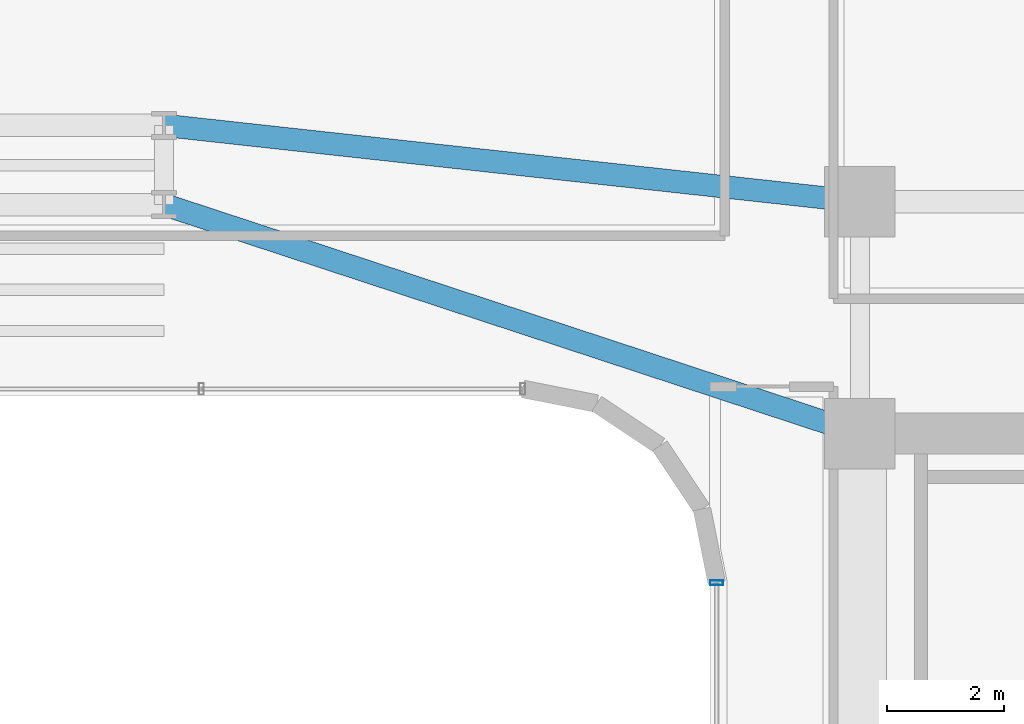
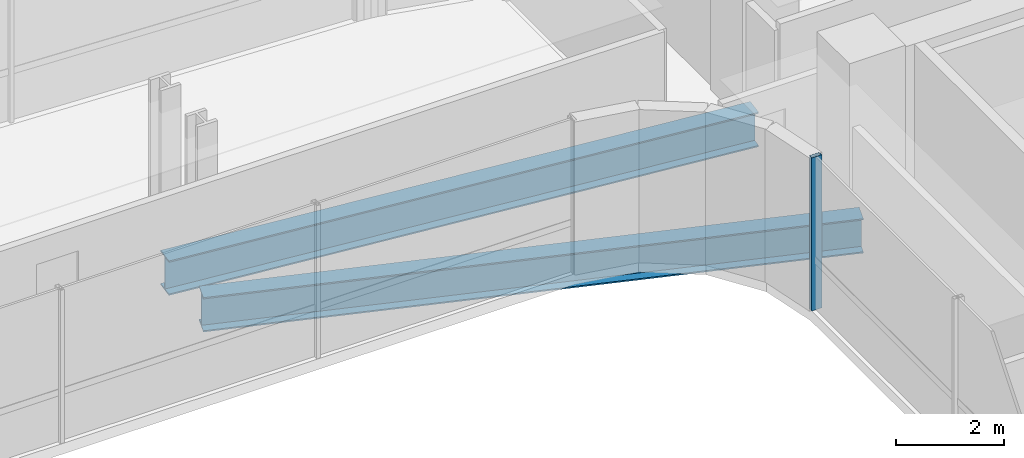
# One storey, part 16 of 35: 2 beams, 1 member, 1 element without a shape of its own.
"""IFC4 building model written with IfcOpenShell, lengths in metres."""

from ifc_helpers import new_model, si_unit, direction, frame, origin, origin_2d, place, context, subcontext, project, spatial, hollow_rectangle, i_section, extrude, source, transform, mapped, material, material_profile, profile_set, type_object, element, aggregate, save


model = new_model("IFC4")

# Units and contexts
model_context = context("Model", 3, precision=1e-05, world=origin(), true_north=direction((0.0, 1.0)))
body_context = subcontext(model_context, "Body", "Model", "MODEL_VIEW")
ifc_project = project(units=[si_unit("LENGTHUNIT", "METRE"), si_unit("AREAUNIT", "SQUARE_METRE"), si_unit("VOLUMEUNIT", "CUBIC_METRE"), si_unit("PLANEANGLEUNIT", "RADIAN"), si_unit("MASSUNIT", "GRAM", prefix="KILO")], contexts=[model_context])

# Site, building, storey
site_placement = place(None, origin())
site = spatial("IfcSite", under=ifc_project, at=site_placement, CompositionType="ELEMENT")
building_placement = place(site_placement, origin())
building = spatial("IfcBuilding", under=site, at=building_placement, Name="Valdorenza Pilgrim Sanctuary Tower", CompositionType="ELEMENT")
storey_placement = place(building_placement, frame((0.0, 0.0, 124.199951171875)))
storey = spatial("IfcBuildingStorey", under=building, at=storey_placement, Name="L31", CompositionType="ELEMENT", Elevation=124.199951171875)

# Beams
ifc_material_1 = material(Name="Steel ASTM A992 Grade 50", Category="steel")
ifc_material_profile_1 = material_profile(ifc_material_1, i_section(OverallWidth=0.382080078125, OverallDepth=0.779052734375, WebThickness=0.01806640625, FlangeThickness=0.030029296875, at=origin_2d()), Name="W30X191")
ifc_profile_set_1 = profile_set([ifc_material_profile_1], Name="Steel ASTM A992 Grade 50")
beam_type = type_object("IfcBeamType", Name="STR-BM-GRD-W30", PredefinedType="BEAM", material=ifc_profile_set_1)
shared_shape_1 = source(origin(), body_context, "Body", "SweptSolid", [
    extrude(i_section(OverallWidth=0.382080078125, OverallDepth=0.779052734375, WebThickness=0.01806640625, FlangeThickness=0.030029296875, at=origin_2d()), origin(), (0.0, 0.0, 1.0), 12.475341796875),
])
beam_1_placement = place(storey_placement, frame((4.0, 13.449951171875, -0.62939453125), z_axis=(0.949881908141, -0.312608957943, 0.0), x_axis=(0.312608957943, 0.949881908141, 0.0)))
element("IfcBeam", 1, at=beam_1_placement, inside=storey, type_object=beam_type, Name="L31 Floor Girder KNK-G3", PredefinedType="BEAM", context=body_context, shape_type="MappedRepresentation", body=[
    mapped(shared_shape_1, transform((0.0, 0.0, 0.0), x_axis=(1.0, 0.0, 0.0), y_axis=(0.0, 1.0, 0.0), z_axis=(0.0, 0.0, 1.0), scale=1.0)),
])
shared_shape_2 = source(origin(), body_context, "Body", "SweptSolid", [
    extrude(i_section(OverallWidth=0.382080078125, OverallDepth=0.779052734375, WebThickness=0.01806640625, FlangeThickness=0.030029296875, at=origin_2d()), origin(), (0.0, 0.0, 1.0), 11.921142578125),
])
beam_2_placement = place(storey_placement, frame((4.0, 14.800048828125, -0.62939453125), z_axis=(0.994035876607, -0.10905354656, 0.0), x_axis=(0.10905354656, 0.994035876607, 0.0)))
element("IfcBeam", 2, at=beam_2_placement, inside=storey, type_object=beam_type, Name="L31 Floor Girder KNK-G6", PredefinedType="BEAM", context=body_context, shape_type="MappedRepresentation", body=[
    mapped(shared_shape_2, transform((0.0, 0.0, 0.0), x_axis=(1.0, 0.0, 0.0), y_axis=(0.0, 1.0, 0.0), z_axis=(0.0, 0.0, 1.0), scale=1.0)),
])

# Curtain wall, member
ifc_material_2 = material(Name="Curtain-wall IGU glazing", Category="glass")
curtain_wall_type = type_object("IfcCurtainWallType", Name="CW-SYS-03", PredefinedType="NOTDEFINED", material=ifc_material_2)
curtain_wall_placement = place(storey_placement, origin())
curtain_wall = element("IfcCurtainWall", 3, at=curtain_wall_placement, inside=storey, type_object=curtain_wall_type, Name="L31 Curtain Wall CW-L31-1-31", PredefinedType="NOTDEFINED")
ifc_material_3 = material(Name="Anodised aluminium AW-6060", Category="aluminium")
ifc_material_profile_2 = material_profile(ifc_material_3, hollow_rectangle(XDim=0.0849609375, YDim=0.219970703125, WallThickness=0.0048828125, at=origin_2d()), Name="ALU-M 220x85x5")
ifc_profile_set_2 = profile_set([ifc_material_profile_2], Name="Anodised aluminium AW-6060")
member_type = type_object("IfcMemberType", Name="CW-MUL-03", PredefinedType="MULLION", material=ifc_profile_set_2)
shared_shape_3 = source(origin(), body_context, "Body", "SweptSolid", [
    extrude(hollow_rectangle(XDim=0.0849609375, YDim=0.219970703125, WallThickness=0.0048828125, at=origin_2d()), origin(), (0.0, 0.0, 1.0), 3.4599609375),
])
member_placement = place(storey_placement, frame((13.409912109375, 7.0107421875, 0.0), z_axis=(0.0, 0.0, 1.0), x_axis=(0.0, 1.0, 0.0)))
member = element("IfcMember", 4, at=member_placement, type_object=member_type, Name="CW-L31-1-31 Mullion 4", PredefinedType="MULLION", context=body_context, shape_type="MappedRepresentation", body=[
    mapped(shared_shape_3, transform((0.0, 0.0, 0.0), x_axis=(1.0, 0.0, 0.0), y_axis=(0.0, 1.0, 0.0), z_axis=(0.0, 0.0, 1.0), scale=1.0)),
])
aggregate(curtain_wall, [member])

save(model, "model.ifc")
